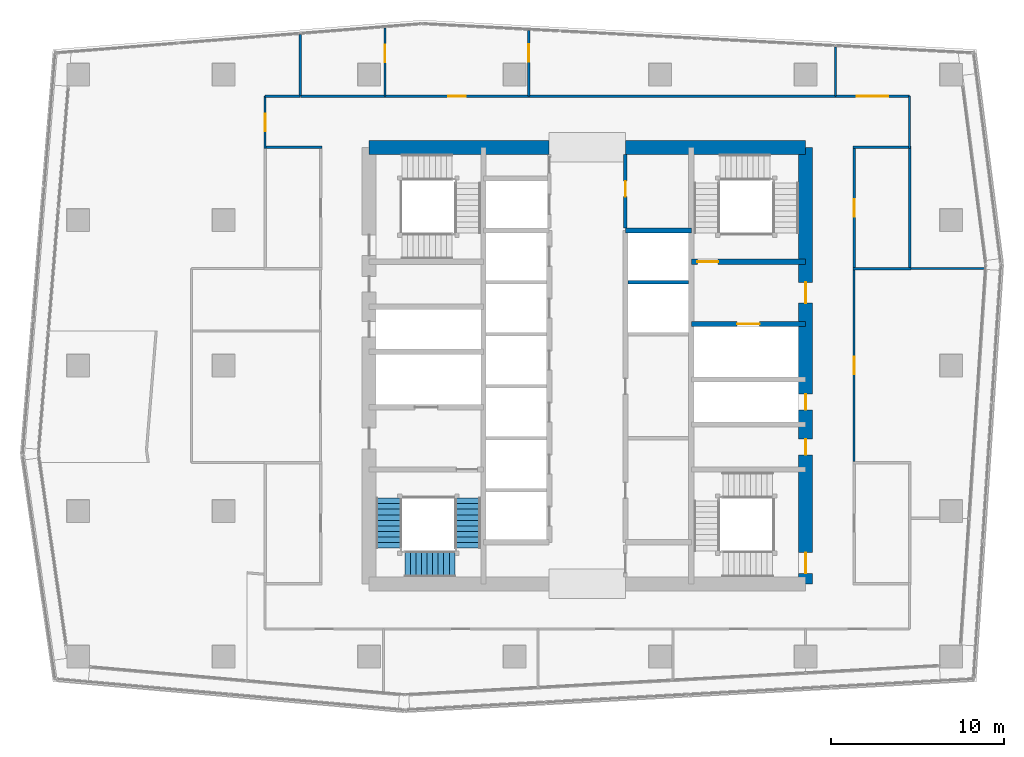
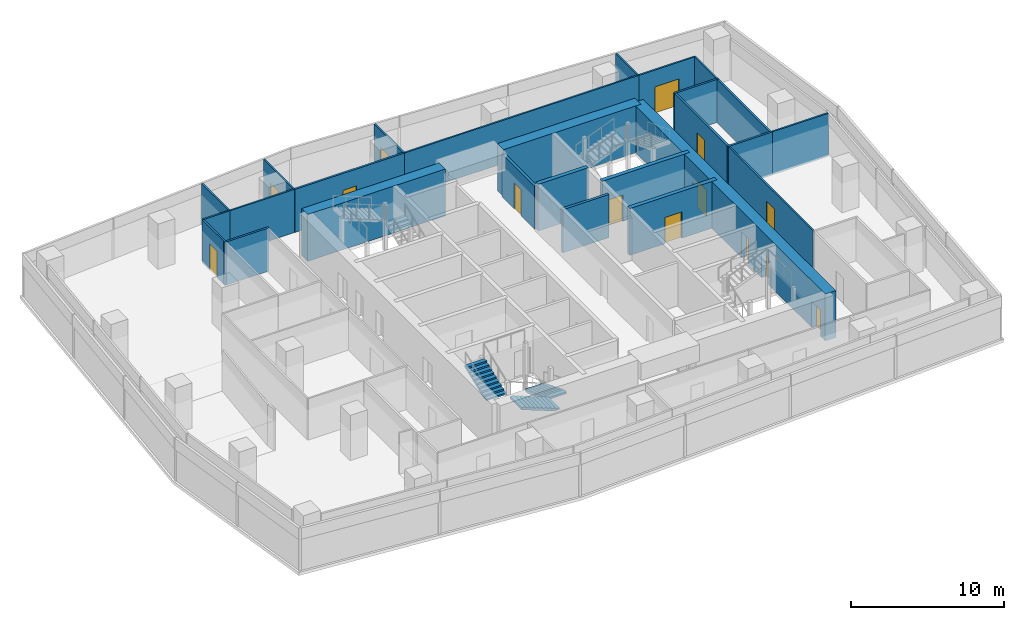
# One storey, part 24 of 30: 26 walls, 14 doors, 3 stair flights, 14 openings, 1 element without a shape of its own.
"""IFC4 building model written with IfcOpenShell, lengths in metres."""

from ifc_helpers import new_model, si_unit, direction, frame, frame_2d, origin, place, context, subcontext, project, spatial, polyline, rectangle, outline, extrude, material, layer, layer_set, type_object, element, fill, aggregate, save


model = new_model("IFC4")

# Units and contexts
model_context = context("Model", 3, precision=1e-05, world=origin(), true_north=direction((0.0, 1.0)))
body_context = subcontext(model_context, "Body", "Model", "MODEL_VIEW")
ifc_project = project(units=[si_unit("LENGTHUNIT", "METRE"), si_unit("AREAUNIT", "SQUARE_METRE"), si_unit("VOLUMEUNIT", "CUBIC_METRE"), si_unit("PLANEANGLEUNIT", "RADIAN"), si_unit("MASSUNIT", "GRAM", prefix="KILO")], contexts=[model_context])

# Site, building, storey
site_placement = place(None, origin())
site = spatial("IfcSite", under=ifc_project, at=site_placement, CompositionType="ELEMENT")
building_placement = place(site_placement, origin())
building = spatial("IfcBuilding", under=site, at=building_placement, Name="Rekha Terrace Tower", CompositionType="ELEMENT")
storey_placement = place(building_placement, frame((0.0, 0.0, 287.60009765625)))
storey = spatial("IfcBuildingStorey", under=building, at=storey_placement, Name="L73", CompositionType="ELEMENT", Elevation=287.60009765625)

# Wall
ifc_material_1 = material(Name="Concrete M60", Category="concrete")
ifc_layer_1 = layer(ifc_material_1, 0.300048828125)
ifc_layer_set_1 = layer_set([ifc_layer_1], Name="Concrete M60")
wall_type_1 = type_object("IfcWallType", Name="CI5 300 core internal shear wall", PredefinedType="SHEAR", material=ifc_layer_set_1)
wall_1_placement = place(storey_placement, frame((40.0, 41.39990234375, 0.0), z_axis=(0.0, 0.0, 1.0), x_axis=(1.0, 0.0, 0.0)))
element("IfcWall", 1, at=wall_1_placement, inside=storey, type_object=wall_type_1, Name="Core wall Y414E L73", PredefinedType="SHEAR", context=body_context, shape_type="SweptSolid", body=[
    extrude(rectangle(XDim=3.800048828125, YDim=0.300048828125, at=frame_2d((1.89990234375, 0.0))), origin(), (0.0, 0.0, 1.0), 3.75),
])

# Wall, opening, door
wall_2_placement = place(storey_placement, frame((43.800048828125, 36.0, 0.0), z_axis=(0.0, 0.0, 1.0), x_axis=(1.0, 0.0, 0.0)))
wall_2 = element("IfcWall", 2, at=wall_2_placement, inside=storey, type_object=wall_type_1, Name="Core wall Y360E L73", PredefinedType="SHEAR", context=body_context, shape_type="SweptSolid", body=[
    extrude(rectangle(XDim=6.599853515625, YDim=0.300048828125, at=frame_2d((3.2998046875, 0.0))), origin(), (0.0, 0.0, 1.0), 3.75),
])
opening_1_placement = place(wall_2_placement, frame((2.64990234375, 0.0, 0.0)))
opening_1 = element("IfcOpeningElement", 3, at=opening_1_placement, cuts=wall_2, Name="Opening LD2", PredefinedType="OPENING", context=body_context, shape_type="SweptSolid", body=[
    extrude(rectangle(XDim=1.300048828125, YDim=2.10009765625, at=frame_2d((0.64990234375, 1.050048828125))), frame((0.0, 0.159912109375, 0.0), z_axis=(0.0, -1.0, 0.0), x_axis=(1.0, 0.0, 0.0)), (0.0, 0.0, 1.0), 0.320068359375),
])
ifc_material_2 = material(Name="Stainless steel sliding landing door", Category="steel")
door_type_1 = type_object("IfcDoorType", Name="LD2 1300x2100 fire lift landing door", OperationType="SLIDING_TO_LEFT", PredefinedType="USERDEFINED", material=ifc_material_2)
door_1_placement = place(opening_1_placement, origin())
door_1 = element("IfcDoor", 4, at=door_1_placement, inside=storey, type_object=door_type_1, Name="Lift FL2 landing door L73", ObjectType="LIFT LANDING DOOR", OperationType="SLIDING_TO_LEFT", OverallHeight=2.10009765625, OverallWidth=1.300048828125, PredefinedType="USERDEFINED", context=body_context, shape_type="SweptSolid", body=[
    extrude(rectangle(XDim=1.300048828125, YDim=2.10009765625, at=frame_2d((0.64990234375, 1.050048828125))), frame((0.0, 0.02490234375, 0.0), z_axis=(0.0, -1.0, 0.0), x_axis=(1.0, 0.0, 0.0)), (0.0, 0.0, 1.0), 0.050048828125),
])
fill(opening_1, door_1)

wall_3_placement = place(storey_placement, frame((43.800048828125, 39.60009765625, 0.0), z_axis=(0.0, 0.0, 1.0), x_axis=(1.0, 0.0, 0.0)))
wall_3 = element("IfcWall", 5, at=wall_3_placement, inside=storey, type_object=wall_type_1, Name="Core wall Y396E L73", PredefinedType="SHEAR", context=body_context, shape_type="SweptSolid", body=[
    extrude(rectangle(XDim=6.599853515625, YDim=0.300048828125, at=frame_2d((3.2998046875, 0.0))), origin(), (0.0, 0.0, 1.0), 3.75),
])
opening_2_placement = place(wall_3_placement, frame((0.35009765625, 0.0, 0.0)))
opening_2 = element("IfcOpeningElement", 6, at=opening_2_placement, cuts=wall_3, Name="Opening D1", PredefinedType="OPENING", context=body_context, shape_type="SweptSolid", body=[
    extrude(rectangle(XDim=1.199951171875, YDim=2.10009765625, at=frame_2d((0.60009765625, 1.050048828125))), frame((0.0, 0.159912109375, 0.0), z_axis=(0.0, -1.0, 0.0), x_axis=(1.0, 0.0, 0.0)), (0.0, 0.0, 1.0), 0.320068359375),
])
ifc_material_3 = material(Name="Steel fire door", Category="steel")
door_type_2 = type_object("IfcDoorType", Name="D1 1200x2100 stair fire door", OperationType="SINGLE_SWING_RIGHT", PredefinedType="DOOR", material=ifc_material_3)
door_2_placement = place(opening_2_placement, origin())
door_2 = element("IfcDoor", 7, at=door_2_placement, inside=storey, type_object=door_type_2, Name="Stair ST2 door L73", OperationType="SINGLE_SWING_RIGHT", OverallHeight=2.10009765625, OverallWidth=1.199951171875, PredefinedType="DOOR", context=body_context, shape_type="SweptSolid", body=[
    extrude(rectangle(XDim=1.199951171875, YDim=2.10009765625, at=frame_2d((0.60009765625, 1.050048828125))), frame((0.0, 0.02490234375, 0.0), z_axis=(0.0, -1.0, 0.0), x_axis=(1.0, 0.0, 0.0)), (0.0, 0.0, 1.0), 0.050048828125),
])
fill(opening_2, door_2)

# Walls
ifc_layer_2 = layer(ifc_material_1, 0.800048828125)
ifc_layer_set_2 = layer_set([ifc_layer_2], Name="Concrete M60")
wall_type_2 = type_object("IfcWallType", Name="SW5 800 core outer shear wall", PredefinedType="SHEAR", material=ifc_layer_set_2)
wall_4_placement = place(storey_placement, frame((25.199951171875, 46.199951171875, 0.0), z_axis=(0.0, 0.0, 1.0), x_axis=(1.0, 0.0, 0.0)))
element("IfcWall", 8, at=wall_4_placement, inside=storey, type_object=wall_type_2, Name="Core wall N1 L73", PredefinedType="SHEAR", context=body_context, shape_type="SweptSolid", body=[
    extrude(rectangle(XDim=10.400146484375, YDim=0.800048828125, at=frame_2d((5.2001953125, 0.0))), origin(), (0.0, 0.0, 1.0), 3.75),
])
wall_5_placement = place(storey_placement, frame((40.0, 46.199951171875, 0.0), z_axis=(0.0, 0.0, 1.0), x_axis=(1.0, 0.0, 0.0)))
element("IfcWall", 9, at=wall_5_placement, inside=storey, type_object=wall_type_2, Name="Core wall N2 L73", PredefinedType="SHEAR", context=body_context, shape_type="SweptSolid", body=[
    extrude(rectangle(XDim=10.39990234375, YDim=0.800048828125, at=frame_2d((5.199951171875, 0.0))), origin(), (0.0, 0.0, 1.0), 3.75),
])

# Wall, openings, doors
wall_6_placement = place(storey_placement, frame((50.39990234375, 21.0, 0.0), z_axis=(0.0, 0.0, 1.0), x_axis=(0.0, 1.0, 0.0)))
wall_6 = element("IfcWall", 10, at=wall_6_placement, inside=storey, type_object=wall_type_2, Name="Core wall E L73", PredefinedType="SHEAR", context=body_context, shape_type="SweptSolid", body=[
    extrude(rectangle(XDim=25.199951171875, YDim=0.800048828125, at=frame_2d((12.60009765625, 0.0))), origin(), (0.0, 0.0, 1.0), 3.75),
])
opening_3_placement = place(wall_6_placement, frame((16.199951171875, 0.0, 0.0)))
opening_3 = element("IfcOpeningElement", 11, at=opening_3_placement, cuts=wall_6, Name="Opening D2", PredefinedType="OPENING", context=body_context, shape_type="SweptSolid", body=[
    extrude(rectangle(XDim=1.199951171875, YDim=2.10009765625, at=frame_2d((0.60009765625, 1.050048828125))), frame((0.0, 0.409912109375, 0.0), z_axis=(0.0, -1.0, 0.0), x_axis=(1.0, 0.0, 0.0)), (0.0, 0.0, 1.0), 0.820068359375),
])
opening_4_placement = place(wall_6_placement, frame((10.050048828125, 0.0, 0.0)))
opening_4 = element("IfcOpeningElement", 12, at=opening_4_placement, cuts=wall_6, Name="Opening D5", PredefinedType="OPENING", context=body_context, shape_type="SweptSolid", body=[
    extrude(rectangle(XDim=0.89990234375, YDim=2.10009765625, at=frame_2d((0.449951171875, 1.050048828125))), frame((0.0, 0.409912109375, 0.0), z_axis=(0.0, -1.0, 0.0), x_axis=(1.0, 0.0, 0.0)), (0.0, 0.0, 1.0), 0.820068359375),
])
opening_5_placement = place(wall_6_placement, frame((7.449951171875, 0.0, 0.0)))
opening_5 = element("IfcOpeningElement", 13, at=opening_5_placement, cuts=wall_6, Name="Opening D5", PredefinedType="OPENING", context=body_context, shape_type="SweptSolid", body=[
    extrude(rectangle(XDim=0.89990234375, YDim=2.10009765625, at=frame_2d((0.449951171875, 1.050048828125))), frame((0.0, 0.409912109375, 0.0), z_axis=(0.0, -1.0, 0.0), x_axis=(1.0, 0.0, 0.0)), (0.0, 0.0, 1.0), 0.820068359375),
])
opening_6_placement = place(wall_6_placement, frame((0.60009765625, 0.0, 0.0)))
opening_6 = element("IfcOpeningElement", 14, at=opening_6_placement, cuts=wall_6, Name="Opening D1", PredefinedType="OPENING", context=body_context, shape_type="SweptSolid", body=[
    extrude(rectangle(XDim=1.199951171875, YDim=2.10009765625, at=frame_2d((0.60009765625, 1.050048828125))), frame((0.0, 0.409912109375, 0.0), z_axis=(0.0, -1.0, 0.0), x_axis=(1.0, 0.0, 0.0)), (0.0, 0.0, 1.0), 0.820068359375),
])
door_3_placement = place(opening_6_placement, origin())
door_3 = element("IfcDoor", 15, at=door_3_placement, inside=storey, type_object=door_type_2, Name="Stair ST3 door L73", OperationType="SINGLE_SWING_RIGHT", OverallHeight=2.10009765625, OverallWidth=1.199951171875, PredefinedType="DOOR", context=body_context, shape_type="SweptSolid", body=[
    extrude(rectangle(XDim=1.199951171875, YDim=2.10009765625, at=frame_2d((0.60009765625, 1.050048828125))), frame((0.0, 0.02490234375, 0.0), z_axis=(0.0, -1.0, 0.0), x_axis=(1.0, 0.0, 0.0)), (0.0, 0.0, 1.0), 0.050048828125),
])
fill(opening_6, door_3)
door_type_3 = type_object("IfcDoorType", Name="D2 1200x2100 firefighting lobby door", OperationType="SINGLE_SWING_LEFT", PredefinedType="DOOR", material=ifc_material_3)
door_4_placement = place(opening_3_placement, origin())
door_4 = element("IfcDoor", 16, at=door_4_placement, inside=storey, type_object=door_type_3, Name="Door flb2 L73", OperationType="SINGLE_SWING_LEFT", OverallHeight=2.10009765625, OverallWidth=1.199951171875, PredefinedType="DOOR", context=body_context, shape_type="SweptSolid", body=[
    extrude(rectangle(XDim=1.199951171875, YDim=2.10009765625, at=frame_2d((0.60009765625, 1.050048828125))), frame((0.0, 0.02490234375, 0.0), z_axis=(0.0, -1.0, 0.0), x_axis=(1.0, 0.0, 0.0)), (0.0, 0.0, 1.0), 0.050048828125),
])
fill(opening_3, door_4)
door_type_4 = type_object("IfcDoorType", Name="D5 900x2100 riser access door", OperationType="SINGLE_SWING_LEFT", PredefinedType="DOOR", material=ifc_material_3)
door_5_placement = place(opening_4_placement, origin())
door_5 = element("IfcDoor", 17, at=door_5_placement, inside=storey, type_object=door_type_4, Name="Door rs2 L73", OperationType="SINGLE_SWING_LEFT", OverallHeight=2.10009765625, OverallWidth=0.89990234375, PredefinedType="DOOR", context=body_context, shape_type="SweptSolid", body=[
    extrude(rectangle(XDim=0.89990234375, YDim=2.10009765625, at=frame_2d((0.449951171875, 1.050048828125))), frame((0.0, 0.02490234375, 0.0), z_axis=(0.0, -1.0, 0.0), x_axis=(1.0, 0.0, 0.0)), (0.0, 0.0, 1.0), 0.050048828125),
])
fill(opening_4, door_5)
door_6_placement = place(opening_5_placement, origin())
door_6 = element("IfcDoor", 18, at=door_6_placement, inside=storey, type_object=door_type_4, Name="Door ele L73", OperationType="SINGLE_SWING_LEFT", OverallHeight=2.10009765625, OverallWidth=0.89990234375, PredefinedType="DOOR", context=body_context, shape_type="SweptSolid", body=[
    extrude(rectangle(XDim=0.89990234375, YDim=2.10009765625, at=frame_2d((0.449951171875, 1.050048828125))), frame((0.0, 0.02490234375, 0.0), z_axis=(0.0, -1.0, 0.0), x_axis=(1.0, 0.0, 0.0)), (0.0, 0.0, 1.0), 0.050048828125),
])
fill(opening_5, door_6)

# Walls
ifc_material_4 = material(Name="Concrete block masonry, 1 hour", Category="masonry")
ifc_layer_3 = layer(ifc_material_4, 0.14990234375)
ifc_layer_set_3 = layer_set([ifc_layer_3], Name="Concrete block masonry, 1 hour")
wall_type_3 = type_object("IfcWallType", Name="WP2 150 tenancy partition", PredefinedType="PARTITIONING", material=ifc_layer_set_3)
for number, where, z_axis, x_axis, name in (
    (19, (53.125, 39.199951171875, 0.0), (0.0, 0.0, 1.0), (1.0, 0.0, 0.0), "Women's WC wall L73"),
    (20, (53.125, 46.199951171875, 0.0), (0.0, 0.0, 1.0), (1.0, 0.0, 0.0), "Women's WC wall L73"),
):
    element("IfcWall", number, at=place(storey_placement, frame(where, z_axis=z_axis, x_axis=x_axis)), inside=storey, type_object=wall_type_3, Name=name, PredefinedType="PARTITIONING", context=body_context, shape_type="SweptSolid", body=[
        extrude(rectangle(XDim=3.35009765625, YDim=0.14990234375, at=frame_2d((1.675048828125, 0.0))), origin(), (0.0, 0.0, 1.0), 3.449951171875),
    ])

# Wall, opening, door
wall_7_placement = place(storey_placement, frame((53.199951171875, 39.27490234375, 0.0), z_axis=(0.0, 0.0, 1.0), x_axis=(0.0, 1.0, 0.0)))
wall_7 = element("IfcWall", 21, at=wall_7_placement, inside=storey, type_object=wall_type_3, Name="Women's WC wall L73", PredefinedType="PARTITIONING", context=body_context, shape_type="SweptSolid", body=[
    extrude(rectangle(XDim=6.85009765625, YDim=0.14990234375, at=frame_2d((3.425048828125, 0.0))), origin(), (0.0, 0.0, 1.0), 3.449951171875),
])
opening_7_placement = place(wall_7_placement, frame((2.925048828125, 0.0, 0.0)))
opening_7 = element("IfcOpeningElement", 22, at=opening_7_placement, cuts=wall_7, Name="Opening D3", PredefinedType="OPENING", context=body_context, shape_type="SweptSolid", body=[
    extrude(rectangle(XDim=1.0, YDim=2.10009765625, at=frame_2d((0.5, 1.050048828125))), frame((0.0, 0.0849609375, 0.0), z_axis=(0.0, -1.0, 0.0), x_axis=(1.0, 0.0, 0.0)), (0.0, 0.0, 1.0), 0.169921875),
])
ifc_material_5 = material(Name="Laminated timber fire door", Category="wood")
door_type_5 = type_object("IfcDoorType", Name="D3 1000x2100 WC door", OperationType="SINGLE_SWING_LEFT", PredefinedType="DOOR", material=ifc_material_5)
door_7_placement = place(opening_7_placement, origin())
door_7 = element("IfcDoor", 23, at=door_7_placement, inside=storey, type_object=door_type_5, Name="Door women's wc L73", OperationType="SINGLE_SWING_LEFT", OverallHeight=2.10009765625, OverallWidth=1.0, PredefinedType="DOOR", context=body_context, shape_type="SweptSolid", body=[
    extrude(rectangle(XDim=1.0, YDim=2.10009765625, at=frame_2d((0.5, 1.050048828125))), frame((0.0, 0.02490234375, 0.0), z_axis=(0.0, -1.0, 0.0), x_axis=(1.0, 0.0, 0.0)), (0.0, 0.0, 1.0), 0.050048828125),
])
fill(opening_7, door_7)

# Walls
wall_8_placement = place(storey_placement, frame((56.39990234375, 39.27490234375, 0.0), z_axis=(0.0, 0.0, 1.0), x_axis=(0.0, 1.0, 0.0)))
element("IfcWall", 24, at=wall_8_placement, inside=storey, type_object=wall_type_3, Name="Women's WC wall L73", PredefinedType="PARTITIONING", context=body_context, shape_type="SweptSolid", body=[
    extrude(rectangle(XDim=6.85009765625, YDim=0.14990234375, at=frame_2d((3.425048828125, 0.0))), origin(), (0.0, 0.0, 1.0), 3.449951171875),
])
wall_9_placement = place(storey_placement, frame((19.125, 46.199951171875, 0.0), z_axis=(0.0, 0.0, 1.0), x_axis=(1.0, 0.0, 0.0)))
element("IfcWall", 25, at=wall_9_placement, inside=storey, type_object=wall_type_3, Name="Women's WC wall L73", PredefinedType="PARTITIONING", context=body_context, shape_type="SweptSolid", body=[
    extrude(rectangle(XDim=3.35009765625, YDim=0.14990234375, at=frame_2d((1.675048828125, 0.0))), origin(), (0.0, 0.0, 1.0), 3.449951171875),
])

# Wall, opening, door
wall_10_placement = place(storey_placement, frame((34.41796875, 49.14990234375, 0.0), z_axis=(0.0, 0.0, 1.0), x_axis=(-1.0, 0.0, 0.0)))
wall_10 = element("IfcWall", 26, at=wall_10_placement, inside=storey, type_object=wall_type_3, Name="Partition L73-O3", PredefinedType="PARTITIONING", context=body_context, shape_type="SweptSolid", body=[
    extrude(rectangle(XDim=8.299072265625, YDim=0.14990234375, at=frame_2d((4.1494140625, 0.0))), origin(), (0.0, 0.0, 1.0), 3.449951171875),
])
opening_8_placement = place(wall_10_placement, frame((3.64892578125, 0.0, 0.0)))
opening_8 = element("IfcOpeningElement", 27, at=opening_8_placement, cuts=wall_10, Name="Opening D9", PredefinedType="OPENING", context=body_context, shape_type="SweptSolid", body=[
    extrude(rectangle(XDim=1.0, YDim=2.10009765625, at=frame_2d((0.5, 1.050048828125))), frame((0.0, 0.0849609375, 0.0), z_axis=(0.0, -1.0, 0.0), x_axis=(1.0, 0.0, 0.0)), (0.0, 0.0, 1.0), 0.169921875),
])
ifc_material_6 = material(Name="Timber fire door", Category="wood")
door_type_6 = type_object("IfcDoorType", Name="D9 1000x2100 office door", OperationType="SINGLE_SWING_LEFT", PredefinedType="DOOR", material=ifc_material_6)
door_8_placement = place(opening_8_placement, origin())
door_8 = element("IfcDoor", 28, at=door_8_placement, inside=storey, type_object=door_type_6, Name="Door open-plan office L73", OperationType="SINGLE_SWING_LEFT", OverallHeight=2.10009765625, OverallWidth=1.0, PredefinedType="DOOR", context=body_context, shape_type="SweptSolid", body=[
    extrude(rectangle(XDim=1.0, YDim=2.10009765625, at=frame_2d((0.5, 1.050048828125))), frame((0.0, 0.02490234375, 0.0), z_axis=(0.0, -1.0, 0.0), x_axis=(1.0, 0.0, 0.0)), (0.0, 0.0, 1.0), 0.050048828125),
])
fill(opening_8, door_8)

ifc_material_7 = material(Name="Two layers of fire-rated gypsum board each side on steel studs, acoustic quilt, 1 hour", Category="steel")
ifc_layer_4 = layer(ifc_material_7, 0.125)
ifc_layer_set_4 = layer_set([ifc_layer_4], Name="Two layers of fire-rated gypsum board each side on steel studs, acoustic quilt, 1 hour")
wall_type_4 = type_object("IfcWallType", Name="WP3 125 office partition", PredefinedType="PARTITIONING", material=ifc_layer_set_4)
wall_11_placement = place(storey_placement, frame((53.199951171875, 28.074951171875, 0.0), z_axis=(0.0, 0.0, 1.0), x_axis=(0.0, 1.0, 0.0)))
wall_11 = element("IfcWall", 29, at=wall_11_placement, inside=storey, type_object=wall_type_4, Name="Partition L73-04", PredefinedType="PARTITIONING", context=body_context, shape_type="SweptSolid", body=[
    extrude(rectangle(XDim=11.050048828125, YDim=0.125, at=frame_2d((5.52490234375, 0.0))), origin(), (0.0, 0.0, 1.0), 3.449951171875),
])
opening_9_placement = place(wall_11_placement, frame((5.02490234375, 0.0, 0.0)))
opening_9 = element("IfcOpeningElement", 30, at=opening_9_placement, cuts=wall_11, Name="Opening D9", PredefinedType="OPENING", context=body_context, shape_type="SweptSolid", body=[
    extrude(rectangle(XDim=1.0, YDim=2.10009765625, at=frame_2d((0.5, 1.050048828125))), frame((0.0, 0.072509765625, 0.0), z_axis=(0.0, -1.0, 0.0), x_axis=(1.0, 0.0, 0.0)), (0.0, 0.0, 1.0), 0.14501953125),
])
door_9_placement = place(opening_9_placement, origin())
door_9 = element("IfcDoor", 31, at=door_9_placement, inside=storey, type_object=door_type_6, Name="Door director's office L73", OperationType="SINGLE_SWING_LEFT", OverallHeight=2.10009765625, OverallWidth=1.0, PredefinedType="DOOR", context=body_context, shape_type="SweptSolid", body=[
    extrude(rectangle(XDim=1.0, YDim=2.10009765625, at=frame_2d((0.5, 1.050048828125))), frame((0.0, 0.02490234375, 0.0), z_axis=(0.0, -1.0, 0.0), x_axis=(1.0, 0.0, 0.0)), (0.0, 0.0, 1.0), 0.050048828125),
])
fill(opening_9, door_9)

# Walls
wall_12_placement = place(storey_placement, frame((56.47607421875, 39.199951171875, 0.0), z_axis=(0.0, 0.0, 1.0), x_axis=(1.0, 0.0, 0.0)))
element("IfcWall", 32, at=wall_12_placement, inside=storey, type_object=wall_type_4, Name="Partition L73-04", PredefinedType="PARTITIONING", context=body_context, shape_type="SweptSolid", body=[
    extrude(rectangle(XDim=4.245849609375, YDim=0.125, at=frame_2d((2.123046875, 0.0))), origin(), (0.0, 0.0, 1.0), 3.449951171875),
])
wall_13_placement = place(storey_placement, frame((56.39990234375, 46.125, 0.0), z_axis=(0.0, 0.0, 1.0), x_axis=(0.0, 1.0, 0.0)))
element("IfcWall", 33, at=wall_13_placement, inside=storey, type_object=wall_type_4, Name="Partition L73-05", PredefinedType="PARTITIONING", context=body_context, shape_type="SweptSolid", body=[
    extrude(rectangle(XDim=3.02490234375, YDim=0.125, at=frame_2d((1.512451171875, 0.0))), origin(), (0.0, 0.0, 1.0), 3.449951171875),
])

# Wall, opening, door
wall_14_placement = place(storey_placement, frame((56.39990234375, 49.14990234375, 0.0), z_axis=(0.0, 0.0, 1.0), x_axis=(-1.0, 0.0, 0.0)))
wall_14 = element("IfcWall", 34, at=wall_14_placement, inside=storey, type_object=wall_type_4, Name="Partition L73-05", PredefinedType="PARTITIONING", context=body_context, shape_type="SweptSolid", body=[
    extrude(rectangle(XDim=4.27685546875, YDim=0.125, at=frame_2d((2.138427734375, 0.0))), origin(), (0.0, 0.0, 1.0), 3.449951171875),
])
opening_10_placement = place(wall_14_placement, frame((1.239013671875, 0.0, 0.0)))
opening_10 = element("IfcOpeningElement", 35, at=opening_10_placement, cuts=wall_14, Name="Opening D8", PredefinedType="OPENING", context=body_context, shape_type="SweptSolid", body=[
    extrude(rectangle(XDim=1.800048828125, YDim=2.10009765625, at=frame_2d((0.89990234375, 1.050048828125))), frame((0.0, 0.072509765625, 0.0), z_axis=(0.0, -1.0, 0.0), x_axis=(1.0, 0.0, 0.0)), (0.0, 0.0, 1.0), 0.14501953125),
])
door_type_7 = type_object("IfcDoorType", Name="D8 1800x2100 double leaf door", OperationType="DOUBLE_DOOR_SINGLE_SWING", PredefinedType="DOOR", material=ifc_material_6)
door_10_placement = place(opening_10_placement, origin())
door_10 = element("IfcDoor", 36, at=door_10_placement, inside=storey, type_object=door_type_7, Name="Door board meeting room L73", OperationType="DOUBLE_DOOR_SINGLE_SWING", OverallHeight=2.10009765625, OverallWidth=1.800048828125, PredefinedType="DOOR", context=body_context, shape_type="SweptSolid", body=[
    extrude(rectangle(XDim=1.800048828125, YDim=2.10009765625, at=frame_2d((0.89990234375, 1.050048828125))), frame((0.0, 0.02490234375, 0.0), z_axis=(0.0, -1.0, 0.0), x_axis=(1.0, 0.0, 0.0)), (0.0, 0.0, 1.0), 0.050048828125),
])
fill(opening_10, door_10)

# Walls
wall_15_placement = place(storey_placement, frame((52.123046875, 49.14990234375, 0.0), z_axis=(0.0, 0.0, 1.0), x_axis=(0.0, 1.0, 0.0)))
element("IfcWall", 37, at=wall_15_placement, inside=storey, type_object=wall_type_4, Name="Partition L73-05", PredefinedType="PARTITIONING", context=body_context, shape_type="SweptSolid", body=[
    extrude(rectangle(XDim=2.85205078125, YDim=0.125, at=frame_2d((1.426025390625, 0.0))), origin(), (0.0, 0.0, 1.0), 3.449951171875),
])
wall_16_placement = place(storey_placement, frame((52.123046875, 49.14990234375, 0.0), z_axis=(0.0, 0.0, 1.0), x_axis=(-1.0, 0.0, 0.0)))
element("IfcWall", 38, at=wall_16_placement, inside=storey, type_object=wall_type_4, Name="Partition L73-07", PredefinedType="PARTITIONING", context=body_context, shape_type="SweptSolid", body=[
    extrude(rectangle(XDim=17.705078125, YDim=0.125, at=frame_2d((8.8525390625, 0.0))), origin(), (0.0, 0.0, 1.0), 3.449951171875),
])

# Wall, opening, door
wall_17_placement = place(storey_placement, frame((34.41796875, 49.14990234375, 0.0), z_axis=(0.0, 0.0, 1.0), x_axis=(0.0, 1.0, 0.0)))
wall_17 = element("IfcWall", 39, at=wall_17_placement, inside=storey, type_object=wall_type_4, Name="Partition L73-07", PredefinedType="PARTITIONING", context=body_context, shape_type="SweptSolid", body=[
    extrude(rectangle(XDim=3.793212890625, YDim=0.125, at=frame_2d((1.896484375, 0.0))), origin(), (0.0, 0.0, 1.0), 3.449951171875),
])
opening_11_placement = place(wall_17_placement, frame((1.9970703125, 0.0, 0.0)))
opening_11 = element("IfcOpeningElement", 40, at=opening_11_placement, cuts=wall_17, Name="Opening D9", PredefinedType="OPENING", context=body_context, shape_type="SweptSolid", body=[
    extrude(rectangle(XDim=1.0, YDim=2.10009765625, at=frame_2d((0.5, 1.050048828125))), frame((0.0, 0.072509765625, 0.0), z_axis=(0.0, -1.0, 0.0), x_axis=(1.0, 0.0, 0.0)), (0.0, 0.0, 1.0), 0.14501953125),
])
door_11_placement = place(opening_11_placement, origin())
door_11 = element("IfcDoor", 41, at=door_11_placement, inside=storey, type_object=door_type_6, Name="Door director's office L73", OperationType="SINGLE_SWING_LEFT", OverallHeight=2.10009765625, OverallWidth=1.0, PredefinedType="DOOR", context=body_context, shape_type="SweptSolid", body=[
    extrude(rectangle(XDim=1.0, YDim=2.10009765625, at=frame_2d((0.5, 1.050048828125))), frame((0.0, 0.02490234375, 0.0), z_axis=(0.0, -1.0, 0.0), x_axis=(1.0, 0.0, 0.0)), (0.0, 0.0, 1.0), 0.050048828125),
])
fill(opening_11, door_11)

wall_18_placement = place(storey_placement, frame((26.118896484375, 53.097900390625, 0.0), z_axis=(0.0, 0.0, 1.0), x_axis=(0.0, -1.0, 0.0)))
wall_18 = element("IfcWall", 42, at=wall_18_placement, inside=storey, type_object=wall_type_4, Name="Partition L73-08", PredefinedType="PARTITIONING", context=body_context, shape_type="SweptSolid", body=[
    extrude(rectangle(XDim=3.947998046875, YDim=0.125, at=frame_2d((1.97412109375, 0.0))), origin(), (0.0, 0.0, 1.0), 3.449951171875),
])
opening_12_placement = place(wall_18_placement, frame((0.97412109375, 0.0, 0.0)))
opening_12 = element("IfcOpeningElement", 43, at=opening_12_placement, cuts=wall_18, Name="Opening D9", PredefinedType="OPENING", context=body_context, shape_type="SweptSolid", body=[
    extrude(rectangle(XDim=1.0, YDim=2.10009765625, at=frame_2d((0.5, 1.050048828125))), frame((0.0, 0.072509765625, 0.0), z_axis=(0.0, -1.0, 0.0), x_axis=(1.0, 0.0, 0.0)), (0.0, 0.0, 1.0), 0.14501953125),
])
door_12_placement = place(opening_12_placement, origin())
door_12 = element("IfcDoor", 44, at=door_12_placement, inside=storey, type_object=door_type_6, Name="Door director's office L73", OperationType="SINGLE_SWING_LEFT", OverallHeight=2.10009765625, OverallWidth=1.0, PredefinedType="DOOR", context=body_context, shape_type="SweptSolid", body=[
    extrude(rectangle(XDim=1.0, YDim=2.10009765625, at=frame_2d((0.5, 1.050048828125))), frame((0.0, 0.02490234375, 0.0), z_axis=(0.0, -1.0, 0.0), x_axis=(1.0, 0.0, 0.0)), (0.0, 0.0, 1.0), 0.050048828125),
])
fill(opening_12, door_12)

# Walls
wall_19_placement = place(storey_placement, frame((26.118896484375, 49.14990234375, 0.0), z_axis=(0.0, 0.0, 1.0), x_axis=(-1.0, 0.0, 0.0)))
element("IfcWall", 45, at=wall_19_placement, inside=storey, type_object=wall_type_4, Name="Partition L73-08", PredefinedType="PARTITIONING", context=body_context, shape_type="SweptSolid", body=[
    extrude(rectangle(XDim=4.891845703125, YDim=0.125, at=frame_2d((2.44580078125, 0.0))), origin(), (0.0, 0.0, 1.0), 3.449951171875),
])
wall_20_placement = place(storey_placement, frame((21.22705078125, 49.14990234375, 0.0), z_axis=(0.0, 0.0, 1.0), x_axis=(0.0, 1.0, 0.0)))
element("IfcWall", 46, at=wall_20_placement, inside=storey, type_object=wall_type_4, Name="Partition L73-08", PredefinedType="PARTITIONING", context=body_context, shape_type="SweptSolid", body=[
    extrude(rectangle(XDim=3.55810546875, YDim=0.125, at=frame_2d((1.779052734375, 0.0))), origin(), (0.0, 0.0, 1.0), 3.449951171875),
])
wall_21_placement = place(storey_placement, frame((21.22607421875, 49.14990234375, 0.0), z_axis=(0.0, 0.0, 1.0), x_axis=(-1.0, 0.0, 0.0)))
element("IfcWall", 47, at=wall_21_placement, inside=storey, type_object=wall_type_4, Name="Partition L73-09", PredefinedType="PARTITIONING", context=body_context, shape_type="SweptSolid", body=[
    extrude(rectangle(XDim=2.026123046875, YDim=0.125, at=frame_2d((1.01318359375, 0.0))), origin(), (0.0, 0.0, 1.0), 3.449951171875),
])

# Wall, opening, door
wall_22_placement = place(storey_placement, frame((19.199951171875, 49.14990234375, 0.0), z_axis=(0.0, 0.0, 1.0), x_axis=(0.0, -1.0, 0.0)))
wall_22 = element("IfcWall", 48, at=wall_22_placement, inside=storey, type_object=wall_type_4, Name="Partition L73-09", PredefinedType="PARTITIONING", context=body_context, shape_type="SweptSolid", body=[
    extrude(rectangle(XDim=3.02490234375, YDim=0.125, at=frame_2d((1.512451171875, 0.0))), origin(), (0.0, 0.0, 1.0), 3.449951171875),
])
opening_13_placement = place(wall_22_placement, frame((1.011962890625, 0.0, 0.0)))
opening_13 = element("IfcOpeningElement", 49, at=opening_13_placement, cuts=wall_22, Name="Opening D9", PredefinedType="OPENING", context=body_context, shape_type="SweptSolid", body=[
    extrude(rectangle(XDim=1.0, YDim=2.10009765625, at=frame_2d((0.5, 1.050048828125))), frame((0.0, 0.072509765625, 0.0), z_axis=(0.0, -1.0, 0.0), x_axis=(1.0, 0.0, 0.0)), (0.0, 0.0, 1.0), 0.14501953125),
])
door_13_placement = place(opening_13_placement, origin())
door_13 = element("IfcDoor", 50, at=door_13_placement, inside=storey, type_object=door_type_6, Name="Door chairman's office L73", OperationType="SINGLE_SWING_LEFT", OverallHeight=2.10009765625, OverallWidth=1.0, PredefinedType="DOOR", context=body_context, shape_type="SweptSolid", body=[
    extrude(rectangle(XDim=1.0, YDim=2.10009765625, at=frame_2d((0.5, 1.050048828125))), frame((0.0, 0.02490234375, 0.0), z_axis=(0.0, -1.0, 0.0), x_axis=(1.0, 0.0, 0.0)), (0.0, 0.0, 1.0), 0.050048828125),
])
fill(opening_13, door_13)

# Wall
ifc_material_8 = material(Name="Solid concrete block masonry, 2 hour", Category="masonry")
ifc_layer_5 = layer(ifc_material_8, 0.199951171875)
ifc_layer_set_5 = layer_set([ifc_layer_5], Name="Solid concrete block masonry, 2 hour")
wall_type_5 = type_object("IfcWallType", Name="WS1 200 stair and shaft enclosure", PredefinedType="PARTITIONING", material=ifc_layer_set_5)
wall_23_placement = place(storey_placement, frame((40.14990234375, 38.39990234375, 0.0), z_axis=(0.0, 0.0, 1.0), x_axis=(1.0, 0.0, 0.0)))
element("IfcWall", 51, at=wall_23_placement, inside=storey, type_object=wall_type_5, Name="Lift shaft divider L73", PredefinedType="PARTITIONING", context=body_context, shape_type="SweptSolid", body=[
    extrude(rectangle(XDim=3.5, YDim=0.199951171875, at=frame_2d((1.75, 0.0))), origin(), (0.0, 0.0, 1.0), 3.449951171875),
])

# Wall, opening, door
wall_24_placement = place(storey_placement, frame((40.0, 41.550048828125, 0.0), z_axis=(0.0, 0.0, 1.0), x_axis=(0.0, 1.0, 0.0)))
wall_24 = element("IfcWall", 52, at=wall_24_placement, inside=storey, type_object=wall_type_5, Name="Core partition elec L73", PredefinedType="PARTITIONING", context=body_context, shape_type="SweptSolid", body=[
    extrude(rectangle(XDim=4.25, YDim=0.199951171875, at=frame_2d((2.125, 0.0))), origin(), (0.0, 0.0, 1.0), 3.449951171875),
])
opening_14_placement = place(wall_24_placement, frame((1.800048828125, 0.0, 0.0)))
opening_14 = element("IfcOpeningElement", 53, at=opening_14_placement, cuts=wall_24, Name="Opening D5", PredefinedType="OPENING", context=body_context, shape_type="SweptSolid", body=[
    extrude(rectangle(XDim=0.89990234375, YDim=2.10009765625, at=frame_2d((0.449951171875, 1.050048828125))), frame((0.0, 0.10986328125, 0.0), z_axis=(0.0, -1.0, 0.0), x_axis=(1.0, 0.0, 0.0)), (0.0, 0.0, 1.0), 0.219970703125),
])
door_14_placement = place(opening_14_placement, origin())
door_14 = element("IfcDoor", 54, at=door_14_placement, inside=storey, type_object=door_type_4, Name="Door electrical room L73", OperationType="SINGLE_SWING_LEFT", OverallHeight=2.10009765625, OverallWidth=0.89990234375, PredefinedType="DOOR", context=body_context, shape_type="SweptSolid", body=[
    extrude(rectangle(XDim=0.89990234375, YDim=2.10009765625, at=frame_2d((0.449951171875, 1.050048828125))), frame((0.0, 0.02490234375, 0.0), z_axis=(0.0, -1.0, 0.0), x_axis=(1.0, 0.0, 0.0)), (0.0, 0.0, 1.0), 0.050048828125),
])
fill(opening_14, door_14)

# Stair, stair flights
ifc_material_9 = material(Name="Concrete M40", Category="concrete")
stair_type = type_object("IfcStairType", Name="ST30 stair, 30 risers of 125, going 320, 1500 wide flights, 3 flights", PredefinedType="HALF_TURN_STAIR", material=ifc_material_9)
stair_placement = place(storey_placement, origin())
stair = element("IfcStair", 55, at=stair_placement, inside=storey, type_object=stair_type, Name="Stair ST1 L73 to L74", PredefinedType="HALF_TURN_STAIR")
stair_flight_type = type_object("IfcStairFlightType", Name="SF10 stair flight, 10 risers of 125, going 320, 1500 wide", PredefinedType="STRAIGHT", material=ifc_material_9)
stair_flight_1_placement = place(storey_placement, frame((30.89990234375, 25.949951171875, 0.0), z_axis=(0.0, 0.0, 1.0), x_axis=(0.0, -1.0, 0.0)))
stair_flight_1 = element("IfcStairFlight", 56, at=stair_flight_1_placement, type_object=stair_flight_type, Name="ST1 flight 1", NumberOfRisers=10, NumberOfTreads=9, PredefinedType="STRAIGHT", RiserHeight=0.125, TreadLength=0.32, context=body_context, shape_type="SweptSolid", body=[
    extrude(outline(polyline([(0.0, 0.0), (0.0, 0.125), (0.320068359375, 0.125), (0.320068359375, 0.25), (0.639892578125, 0.25), (0.639892578125, 0.375), (0.9599609375, 0.375), (0.9599609375, 0.5), (1.280029296875, 0.5), (1.280029296875, 0.625), (1.60009765625, 0.625), (1.60009765625, 0.75), (1.919921875, 0.75), (1.919921875, 0.875), (2.239990234375, 0.875), (2.239990234375, 1.0), (2.56005859375, 1.0), (2.56005859375, 1.125), (2.8798828125, 1.125), (2.8798828125, 1.25), (2.8798828125, 0.964111328125), (0.412109375, 0.0), (0.0, 0.0)])), frame((0.0, 0.75, 0.0), z_axis=(0.0, -1.0, 0.0), x_axis=(1.0, 0.0, 0.0)), (0.0, 0.0, 1.0), 1.5),
])
stair_flight_2_placement = place(storey_placement, frame((30.14990234375, 22.14990234375, 1.25), z_axis=(0.0, 0.0, 1.0), x_axis=(-1.0, 0.0, 0.0)))
stair_flight_2 = element("IfcStairFlight", 57, at=stair_flight_2_placement, type_object=stair_flight_type, Name="ST1 flight 2", NumberOfRisers=10, NumberOfTreads=9, PredefinedType="STRAIGHT", RiserHeight=0.125, TreadLength=0.32, context=body_context, shape_type="SweptSolid", body=[
    extrude(outline(polyline([(0.0, 0.0), (0.0, 0.125), (0.320068359375, 0.125), (0.320068359375, 0.25), (0.639892578125, 0.25), (0.639892578125, 0.375), (0.9599609375, 0.375), (0.9599609375, 0.5), (1.280029296875, 0.5), (1.280029296875, 0.625), (1.60009765625, 0.625), (1.60009765625, 0.75), (1.919921875, 0.75), (1.919921875, 0.875), (2.239990234375, 0.875), (2.239990234375, 1.0), (2.56005859375, 1.0), (2.56005859375, 1.125), (2.8798828125, 1.125), (2.8798828125, 1.25), (2.8798828125, 0.964111328125), (0.412109375, 0.0), (0.0, 0.0)])), frame((0.0, 0.75, 0.0), z_axis=(0.0, -1.0, 0.0), x_axis=(1.0, 0.0, 0.0)), (0.0, 0.0, 1.0), 1.5),
])
stair_flight_3_placement = place(storey_placement, frame((26.35009765625, 23.070068359375, 2.5), z_axis=(0.0, 0.0, 1.0), x_axis=(0.0, 1.0, 0.0)))
stair_flight_3 = element("IfcStairFlight", 58, at=stair_flight_3_placement, type_object=stair_flight_type, Name="ST1 flight 3", NumberOfRisers=10, NumberOfTreads=9, PredefinedType="STRAIGHT", RiserHeight=0.125, TreadLength=0.32, context=body_context, shape_type="SweptSolid", body=[
    extrude(outline(polyline([(0.0, 0.0), (0.0, 0.125), (0.320068359375, 0.125), (0.320068359375, 0.25), (0.639892578125, 0.25), (0.639892578125, 0.375), (0.9599609375, 0.375), (0.9599609375, 0.5), (1.280029296875, 0.5), (1.280029296875, 0.625), (1.60009765625, 0.625), (1.60009765625, 0.75), (1.919921875, 0.75), (1.919921875, 0.875), (2.239990234375, 0.875), (2.239990234375, 1.0), (2.56005859375, 1.0), (2.56005859375, 1.125), (2.8798828125, 1.125), (2.8798828125, 1.25), (2.8798828125, 0.964111328125), (0.412109375, 0.0), (0.0, 0.0)])), frame((0.0, 0.75, 0.0), z_axis=(0.0, -1.0, 0.0), x_axis=(1.0, 0.0, 0.0)), (0.0, 0.0, 1.0), 1.5),
])
aggregate(stair, [stair_flight_1, stair_flight_2, stair_flight_3])

save(model, "model.ifc")
